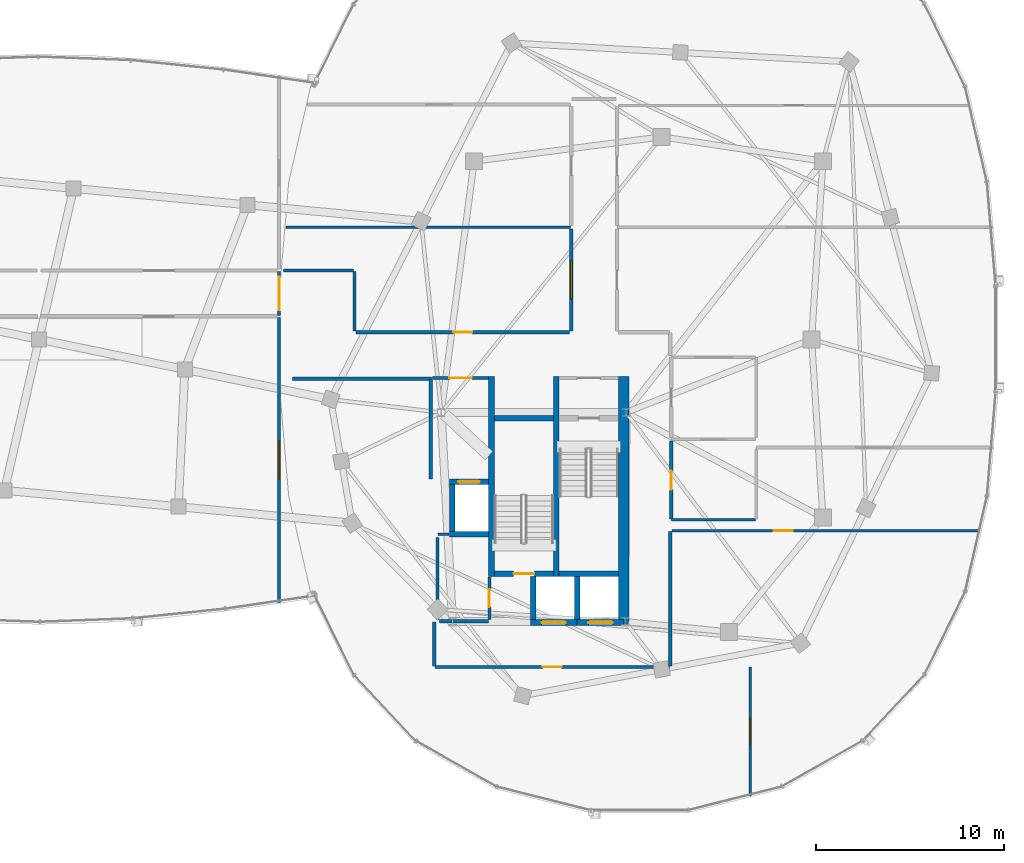
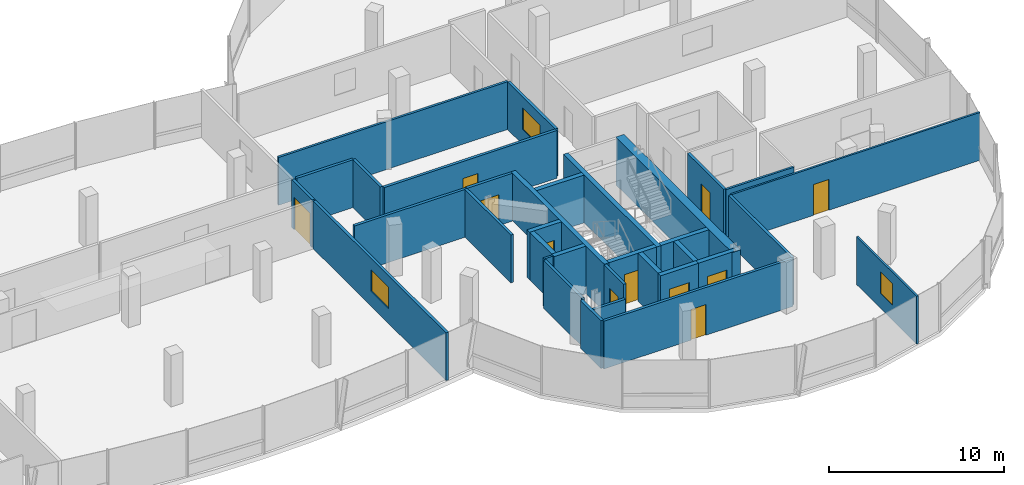
# One storey, part 16 of 26: 34 walls, 11 doors, 3 windows, 14 openings.
"""IFC4 building model written with IfcOpenShell, lengths in metres."""

from ifc_helpers import new_model, si_unit, direction, frame, frame_2d, origin, place, context, subcontext, project, spatial, rectangle, extrude, material, layer, layer_set, type_object, element, fill, save


model = new_model("IFC4")

# Units and contexts
model_context = context("Model", 3, precision=1e-05, world=origin(), true_north=direction((0.0, 1.0)))
body_context = subcontext(model_context, "Body", "Model", "MODEL_VIEW")
ifc_project = project(units=[si_unit("LENGTHUNIT", "METRE"), si_unit("AREAUNIT", "SQUARE_METRE"), si_unit("VOLUMEUNIT", "CUBIC_METRE"), si_unit("PLANEANGLEUNIT", "RADIAN"), si_unit("MASSUNIT", "GRAM", prefix="KILO"), si_unit("THERMODYNAMICTEMPERATUREUNIT", "KELVIN"), si_unit("POWERUNIT", "WATT")], contexts=[model_context])

# Site, building, storey
site_placement = place(None, origin())
site = spatial("IfcSite", under=ifc_project, at=site_placement, CompositionType="ELEMENT")
building_placement = place(site_placement, origin())
building = spatial("IfcBuilding", under=site, at=building_placement, Name="Cundina Bronze Exchange", CompositionType="ELEMENT")
storey_placement = place(building_placement, frame((0.0, 0.0, 243.199951171875)))
storey = spatial("IfcBuildingStorey", under=building, at=storey_placement, Name="L64", CompositionType="ELEMENT", Elevation=243.199951171875)

# Wall
ifc_material_1 = material(Name="Gypsum Fireboard Partition EI120")
ifc_layer_1 = layer(ifc_material_1, 0.179931640625, Name="Gypsum Fireboard Partition EI120")
ifc_layer_set_1 = layer_set([ifc_layer_1], Name="Gypsum Fireboard Partition EI120")
wall_type_1 = type_object("IfcWallType", Name="WL-COR-180", PredefinedType="PARTITIONING", material=ifc_layer_set_1)
wall_1_placement = place(storey_placement, frame((20.889892578125, -7.449951171875, 0.0), z_axis=(0.0, 0.0, 1.0), x_axis=(0.0, 1.0, 0.0)))
element("IfcWall", 1, at=wall_1_placement, inside=storey, type_object=wall_type_1, Name="L64 E Firefighting Lobby Side Wall", PredefinedType="PARTITIONING", context=body_context, shape_type="SweptSolid", body=[
    extrude(rectangle(XDim=5.300048828125, YDim=0.179931640625, at=frame_2d((2.64990234375, 0.0))), origin(), (0.0, 0.0, 1.0), 3.340087890625),
])

# Wall, opening, door
wall_2_placement = place(storey_placement, frame((20.97998046875, -2.06005859375, 0.0), z_axis=(0.0, 0.0, 1.0), x_axis=(1.0, 0.0, 0.0)))
wall_2 = element("IfcWall", 2, at=wall_2_placement, inside=storey, type_object=wall_type_1, Name="L64 E Firefighting Lobby Exit Wall", PredefinedType="PARTITIONING", context=body_context, shape_type="SweptSolid", body=[
    extrude(rectangle(XDim=3.0, YDim=0.179931640625, at=frame_2d((1.5, 0.0))), origin(), (0.0, 0.0, 1.0), 3.340087890625),
])
opening_1_placement = place(wall_2_placement, frame((0.89990234375, 0.0, 0.0)))
opening_1 = element("IfcOpeningElement", 3, at=opening_1_placement, cuts=wall_2, Name="Opening DF-01", PredefinedType="OPENING", context=body_context, shape_type="SweptSolid", body=[
    extrude(rectangle(XDim=1.199951171875, YDim=2.14990234375, at=frame_2d((0.60009765625, 1.074951171875))), frame((0.0, 0.099853515625, 0.0), z_axis=(0.0, -1.0, 0.0), x_axis=(1.0, 0.0, 0.0)), (0.0, 0.0, 1.0), 0.199951171875),
])
ifc_material_2 = material(Name="Steel ASTM A36 Painted", Category="steel")
door_type_1 = type_object("IfcDoorType", Name="DR-FFL-1200", OperationType="NOTDEFINED", PredefinedType="DOOR", material=ifc_material_2)
door_1_placement = place(opening_1_placement, origin())
door_1 = element("IfcDoor", 4, at=door_1_placement, inside=storey, type_object=door_type_1, Name="L64 E Firefighting Lobby Door", OperationType="SINGLE_SWING_LEFT", OverallHeight=2.14990234375, OverallWidth=1.199951171875, PredefinedType="DOOR", context=body_context, shape_type="SweptSolid", body=[
    extrude(rectangle(XDim=1.199951171875, YDim=2.14990234375, at=frame_2d((0.60009765625, 1.074951171875))), frame((0.0, 0.02490234375, 0.0), z_axis=(0.0, -1.0, 0.0), x_axis=(1.0, 0.0, 0.0)), (0.0, 0.0, 1.0), 0.050048828125),
])
fill(opening_1, door_1)

# Walls
wall_3_placement = place(storey_placement, frame((21.25, -14.929931640625, 0.0), z_axis=(0.0, 0.0, 1.0), x_axis=(0.0, 1.0, 0.0)))
element("IfcWall", 5, at=wall_3_placement, inside=storey, type_object=wall_type_1, Name="L64 Interior Partition 037", PredefinedType="PARTITIONING", context=body_context, shape_type="SweptSolid", body=[
    extrude(rectangle(XDim=4.35986328125, YDim=0.179931640625, at=frame_2d((2.179931640625, 0.0))), origin(), (0.0, 0.0, 1.0), 3.340087890625),
])
wall_4_placement = place(storey_placement, frame((21.35009765625, -15.030029296875, 0.0), z_axis=(0.0, 0.0, 1.0), x_axis=(1.0, 0.0, 0.0)))
element("IfcWall", 6, at=wall_4_placement, inside=storey, type_object=wall_type_1, Name="L64 Interior Partition 038", PredefinedType="PARTITIONING", context=body_context, shape_type="SweptSolid", body=[
    extrude(rectangle(XDim=2.60986328125, YDim=0.179931640625, at=frame_2d((1.304931640625, 0.0))), origin(), (0.0, 0.0, 1.0), 2.4130859375),
])

# Wall, opening, door
wall_5_placement = place(storey_placement, frame((24.02001953125, -14.929931640625, 0.0), z_axis=(0.0, 0.0, 1.0), x_axis=(0.0, 1.0, 0.0)))
wall_5 = element("IfcWall", 7, at=wall_5_placement, inside=storey, type_object=wall_type_1, Name="L64 Interior Partition 039", PredefinedType="PARTITIONING", context=body_context, shape_type="SweptSolid", body=[
    extrude(rectangle(XDim=2.260009765625, YDim=0.179931640625, at=frame_2d((1.1298828125, 0.0))), origin(), (0.0, 0.0, 1.0), 3.340087890625),
])
opening_2_placement = place(wall_5_placement, frame((0.655029296875, 0.0, 0.0)))
opening_2 = element("IfcOpeningElement", 8, at=opening_2_placement, cuts=wall_5, Name="Opening DW-01", PredefinedType="OPENING", context=body_context, shape_type="SweptSolid", body=[
    extrude(rectangle(XDim=0.949951171875, YDim=2.10009765625, at=frame_2d((0.47509765625, 1.050048828125))), frame((0.0, 0.099853515625, 0.0), z_axis=(0.0, -1.0, 0.0), x_axis=(1.0, 0.0, 0.0)), (0.0, 0.0, 1.0), 0.199951171875),
])
ifc_material_3 = material(Name="Solid Andean Oak Timber Grade A", Category="wood")
door_type_2 = type_object("IfcDoorType", Name="DR-WC-950", OperationType="NOTDEFINED", PredefinedType="DOOR", material=ifc_material_3)
door_2_placement = place(opening_2_placement, origin())
door_2 = element("IfcDoor", 9, at=door_2_placement, inside=storey, type_object=door_type_2, Name="L64 Interior Door 039", OperationType="SINGLE_SWING_RIGHT", OverallHeight=2.10009765625, OverallWidth=0.949951171875, PredefinedType="DOOR", context=body_context, shape_type="SweptSolid", body=[
    extrude(rectangle(XDim=0.949951171875, YDim=2.10009765625, at=frame_2d((0.47509765625, 1.050048828125))), frame((0.0, 0.02490234375, 0.0), z_axis=(0.0, -1.0, 0.0), x_axis=(1.0, 0.0, 0.0)), (0.0, 0.0, 1.0), 0.050048828125),
])
fill(opening_2, door_2)

wall_6_placement = place(storey_placement, frame((33.719970703125, -9.590087890625, 0.0), z_axis=(0.0, 0.0, 1.0), x_axis=(0.0, 1.0, 0.0)))
wall_6 = element("IfcWall", 10, at=wall_6_placement, inside=storey, type_object=wall_type_1, Name="L64 Interior Partition 046", PredefinedType="PARTITIONING", context=body_context, shape_type="SweptSolid", body=[
    extrude(rectangle(XDim=4.16015625, YDim=0.179931640625, at=frame_2d((2.080078125, 0.0))), origin(), (0.0, 0.0, 1.0), 3.340087890625),
])
opening_3_placement = place(wall_6_placement, frame((1.580078125, 0.0, 0.0)))
opening_3 = element("IfcOpeningElement", 11, at=opening_3_placement, cuts=wall_6, Name="Opening DO-01", PredefinedType="OPENING", context=body_context, shape_type="SweptSolid", body=[
    extrude(rectangle(XDim=1.0, YDim=2.14990234375, at=frame_2d((0.5, 1.074951171875))), frame((0.0, 0.099853515625, 0.0), z_axis=(0.0, -1.0, 0.0), x_axis=(1.0, 0.0, 0.0)), (0.0, 0.0, 1.0), 0.199951171875),
])
door_type_3 = type_object("IfcDoorType", Name="DR-OFF-1000", OperationType="NOTDEFINED", PredefinedType="DOOR", material=ifc_material_3)
door_3_placement = place(opening_3_placement, origin())
door_3 = element("IfcDoor", 12, at=door_3_placement, inside=storey, type_object=door_type_3, Name="L64 Interior Door 046", OperationType="SINGLE_SWING_RIGHT", OverallHeight=2.14990234375, OverallWidth=1.0, PredefinedType="DOOR", context=body_context, shape_type="SweptSolid", body=[
    extrude(rectangle(XDim=1.0, YDim=2.14990234375, at=frame_2d((0.5, 1.074951171875))), frame((0.0, 0.02490234375, 0.0), z_axis=(0.0, -1.0, 0.0), x_axis=(1.0, 0.0, 0.0)), (0.0, 0.0, 1.0), 0.050048828125),
])
fill(opening_3, door_3)

wall_7_placement = place(storey_placement, frame((21.12158203125, -17.469970703125, 0.0), z_axis=(0.0, 0.0, 1.0), x_axis=(1.0, 0.0, 0.0)))
wall_7 = element("IfcWall", 13, at=wall_7_placement, inside=storey, type_object=wall_type_1, Name="L64 Interior Partition 052", PredefinedType="PARTITIONING", context=body_context, shape_type="SweptSolid", body=[
    extrude(rectangle(XDim=12.5068359375, YDim=0.179931640625, at=frame_2d((6.25341796875, 0.0))), origin(), (0.0, 0.0, 1.0), 3.340087890625),
])
opening_4_placement = place(wall_7_placement, frame((5.75341796875, 0.0, 0.0)))
opening_4 = element("IfcOpeningElement", 14, at=opening_4_placement, cuts=wall_7, Name="Opening DO-01", PredefinedType="OPENING", context=body_context, shape_type="SweptSolid", body=[
    extrude(rectangle(XDim=1.0, YDim=2.14990234375, at=frame_2d((0.5, 1.074951171875))), frame((0.0, 0.099853515625, 0.0), z_axis=(0.0, -1.0, 0.0), x_axis=(1.0, 0.0, 0.0)), (0.0, 0.0, 1.0), 0.199951171875),
])
door_4_placement = place(opening_4_placement, origin())
door_4 = element("IfcDoor", 15, at=door_4_placement, inside=storey, type_object=door_type_3, Name="L64 Interior Door 052", OperationType="SINGLE_SWING_RIGHT", OverallHeight=2.14990234375, OverallWidth=1.0, PredefinedType="DOOR", context=body_context, shape_type="SweptSolid", body=[
    extrude(rectangle(XDim=1.0, YDim=2.14990234375, at=frame_2d((0.5, 1.074951171875))), frame((0.0, 0.02490234375, 0.0), z_axis=(0.0, -1.0, 0.0), x_axis=(1.0, 0.0, 0.0)), (0.0, 0.0, 1.0), 0.050048828125),
])
fill(opening_4, door_4)

# Walls
wall_8_placement = place(storey_placement, frame((13.521484375, -2.10009765625, 0.0), z_axis=(0.0, 0.0, 1.0), x_axis=(1.0, 0.0, 0.0)))
element("IfcWall", 16, at=wall_8_placement, inside=storey, type_object=wall_type_1, Name="L64 Interior Partition 053", PredefinedType="PARTITIONING", context=body_context, shape_type="SweptSolid", body=[
    extrude(rectangle(XDim=7.3984375, YDim=0.179931640625, at=frame_2d((3.69921875, 0.0))), origin(), (0.0, 0.0, 1.0), 3.340087890625),
])
wall_9_placement = place(storey_placement, frame((33.669921875, -17.428466796875, 0.0), z_axis=(0.0, 0.0, 1.0), x_axis=(0.0, 1.0, 0.0)))
element("IfcWall", 17, at=wall_9_placement, inside=storey, type_object=wall_type_1, Name="L64 Interior Partition 054", PredefinedType="PARTITIONING", context=body_context, shape_type="SweptSolid", body=[
    extrude(rectangle(XDim=7.178466796875, YDim=0.179931640625, at=frame_2d((3.58935546875, 0.0))), origin(), (0.0, 0.0, 1.0), 3.340087890625),
])
wall_10_placement = place(storey_placement, frame((21.080078125, -15.071533203125, 0.0), z_axis=(0.0, 0.0, 1.0), x_axis=(0.0, -1.0, 0.0)))
element("IfcWall", 18, at=wall_10_placement, inside=storey, type_object=wall_type_1, Name="L64 Interior Partition 055", PredefinedType="PARTITIONING", context=body_context, shape_type="SweptSolid", body=[
    extrude(rectangle(XDim=2.35693359375, YDim=0.179931640625, at=frame_2d((1.178466796875, 0.0))), origin(), (0.0, 0.0, 1.0), 3.340087890625),
])

# Wall, opening, door
wall_11_placement = place(storey_placement, frame((28.300048828125, 0.3701171875, 0.0), z_axis=(0.0, 0.0, 1.0), x_axis=(-1.0, 0.0, 0.0)))
wall_11 = element("IfcWall", 19, at=wall_11_placement, inside=storey, type_object=wall_type_1, Name="L64 Interior Partition 059", PredefinedType="PARTITIONING", context=body_context, shape_type="SweptSolid", body=[
    extrude(rectangle(XDim=11.400146484375, YDim=0.179931640625, at=frame_2d((5.7001953125, 0.0))), origin(), (0.0, 0.0, 1.0), 3.340087890625),
])
opening_5_placement = place(wall_11_placement, frame((5.199951171875, 0.0, 0.0)))
opening_5 = element("IfcOpeningElement", 20, at=opening_5_placement, cuts=wall_11, Name="Opening DO-01", PredefinedType="OPENING", context=body_context, shape_type="SweptSolid", body=[
    extrude(rectangle(XDim=1.0, YDim=2.14990234375, at=frame_2d((0.5, 1.074951171875))), frame((0.0, 0.099853515625, 0.0), z_axis=(0.0, -1.0, 0.0), x_axis=(1.0, 0.0, 0.0)), (0.0, 0.0, 1.0), 0.199951171875),
])
door_5_placement = place(opening_5_placement, origin())
door_5 = element("IfcDoor", 21, at=door_5_placement, inside=storey, type_object=door_type_3, Name="L64 Interior Door 059", OperationType="SINGLE_SWING_RIGHT", OverallHeight=2.14990234375, OverallWidth=1.0, PredefinedType="DOOR", context=body_context, shape_type="SweptSolid", body=[
    extrude(rectangle(XDim=1.0, YDim=2.14990234375, at=frame_2d((0.5, 1.074951171875))), frame((0.0, 0.02490234375, 0.0), z_axis=(0.0, -1.0, 0.0), x_axis=(1.0, 0.0, 0.0)), (0.0, 0.0, 1.0), 0.050048828125),
])
fill(opening_5, door_5)

# Wall, opening, window
wall_12_placement = place(storey_placement, frame((28.3798828125, 5.889892578125, 0.0), z_axis=(0.0, 0.0, 1.0), x_axis=(0.0, -1.0, 0.0)))
wall_12 = element("IfcWall", 22, at=wall_12_placement, inside=storey, type_object=wall_type_1, Name="L64 Interior Partition 060", PredefinedType="PARTITIONING", context=body_context, shape_type="SweptSolid", body=[
    extrude(rectangle(XDim=5.43994140625, YDim=0.179931640625, at=frame_2d((2.719970703125, 0.0))), origin(), (0.0, 0.0, 1.0), 3.340087890625),
])
opening_6_placement = place(wall_12_placement, frame((1.719970703125, 0.0, 1.050048828125)))
opening_6 = element("IfcOpeningElement", 23, at=opening_6_placement, cuts=wall_12, Name="Opening WI-01", PredefinedType="OPENING", context=body_context, shape_type="SweptSolid", body=[
    extrude(rectangle(XDim=2.0, YDim=1.5, at=frame_2d((1.0, 0.75))), frame((0.0, 0.099853515625, 0.0), z_axis=(0.0, -1.0, 0.0), x_axis=(1.0, 0.0, 0.0)), (0.0, 0.0, 1.0), 0.199951171875),
])
ifc_material_4 = material(Name="Clear Low-E Insulating Glass 26mm", Category="glass")
window_type_1 = type_object("IfcWindowType", Name="WN-INT-2000", PartitioningType="SINGLE_PANEL", PredefinedType="WINDOW", material=ifc_material_4)
window_1_placement = place(opening_6_placement, origin())
window_1 = element("IfcWindow", 24, at=window_1_placement, inside=storey, type_object=window_type_1, Name="L64 Interior Acoustic Vision Window 060", OverallHeight=1.5, OverallWidth=2.0, PartitioningType="SINGLE_PANEL", PredefinedType="WINDOW", context=body_context, shape_type="SweptSolid", body=[
    extrude(rectangle(XDim=2.0, YDim=1.5, at=frame_2d((1.0, 0.75))), frame((0.0, 0.030029296875, 0.0), z_axis=(0.0, -1.0, 0.0), x_axis=(1.0, 0.0, 0.0)), (0.0, 0.0, 1.0), 0.06005859375),
])
fill(opening_6, window_1)

# Walls
wall_13_placement = place(storey_placement, frame((16.778564453125, 3.669921875, 0.0), z_axis=(0.0, 0.0, 1.0), x_axis=(-1.0, 0.0, 0.0)))
element("IfcWall", 25, at=wall_13_placement, inside=storey, type_object=wall_type_1, Name="L64 Interior Partition 061", PredefinedType="PARTITIONING", context=body_context, shape_type="SweptSolid", body=[
    extrude(rectangle(XDim=3.7529296875, YDim=0.179931640625, at=frame_2d((1.87646484375, 0.0))), origin(), (0.0, 0.0, 1.0), 3.340087890625),
])
wall_14_placement = place(storey_placement, frame((16.820068359375, 0.449951171875, 0.0), z_axis=(0.0, 0.0, 1.0), x_axis=(0.0, 1.0, 0.0)))
element("IfcWall", 26, at=wall_14_placement, inside=storey, type_object=wall_type_1, Name="L64 Interior Partition 062", PredefinedType="PARTITIONING", context=body_context, shape_type="SweptSolid", body=[
    extrude(rectangle(XDim=3.178466796875, YDim=0.179931640625, at=frame_2d((1.58935546875, 0.0))), origin(), (0.0, 0.0, 1.0), 3.340087890625),
])

# Wall, opening, window
wall_15_placement = place(storey_placement, frame((12.800048828125, -14.043701171875, 0.0), z_axis=(0.0, 0.0, 1.0), x_axis=(0.0, 1.0, 0.0)))
wall_15 = element("IfcWall", 27, at=wall_15_placement, inside=storey, type_object=wall_type_1, Name="L64 Interior Partition 076", PredefinedType="PARTITIONING", context=body_context, shape_type="SweptSolid", body=[
    extrude(rectangle(XDim=15.20361328125, YDim=0.179931640625, at=frame_2d((7.601806640625, 0.0))), origin(), (0.0, 0.0, 1.0), 3.340087890625),
])
opening_7_placement = place(wall_15_placement, frame((6.60205078125, 0.0, 1.050048828125)))
opening_7 = element("IfcOpeningElement", 28, at=opening_7_placement, cuts=wall_15, Name="Opening WI-01", PredefinedType="OPENING", context=body_context, shape_type="SweptSolid", body=[
    extrude(rectangle(XDim=2.0, YDim=1.5, at=frame_2d((1.0, 0.75))), frame((0.0, 0.099853515625, 0.0), z_axis=(0.0, -1.0, 0.0), x_axis=(1.0, 0.0, 0.0)), (0.0, 0.0, 1.0), 0.199951171875),
])
window_2_placement = place(opening_7_placement, origin())
window_2 = element("IfcWindow", 29, at=window_2_placement, inside=storey, type_object=window_type_1, Name="L64 Interior Acoustic Vision Window 076", OverallHeight=1.5, OverallWidth=2.0, PartitioningType="SINGLE_PANEL", PredefinedType="WINDOW", context=body_context, shape_type="SweptSolid", body=[
    extrude(rectangle(XDim=2.0, YDim=1.5, at=frame_2d((1.0, 0.75))), frame((0.0, 0.030029296875, 0.0), z_axis=(0.0, -1.0, 0.0), x_axis=(1.0, 0.0, 0.0)), (0.0, 0.0, 1.0), 0.06005859375),
])
fill(opening_7, window_2)

# Wall, opening, door
wall_16_placement = place(storey_placement, frame((12.800048828125, 1.280029296875, 0.0), z_axis=(0.0, 0.0, 1.0), x_axis=(0.0, 1.0, 0.0)))
wall_16 = element("IfcWall", 30, at=wall_16_placement, inside=storey, type_object=wall_type_1, Name="L64 Interior Partition 078", PredefinedType="PARTITIONING", context=body_context, shape_type="SweptSolid", body=[
    extrude(rectangle(XDim=2.340087890625, YDim=0.179931640625, at=frame_2d((1.169921875, 0.0))), origin(), (0.0, 0.0, 1.0), 3.340087890625),
])
opening_8_placement = place(wall_16_placement, frame((0.27001953125, 0.0, 0.0)))
opening_8 = element("IfcOpeningElement", 31, at=opening_8_placement, cuts=wall_16, Name="Opening DB-01", PredefinedType="OPENING", context=body_context, shape_type="SweptSolid", body=[
    extrude(rectangle(XDim=1.800048828125, YDim=2.25, at=frame_2d((0.89990234375, 1.125))), frame((0.0, 0.099853515625, 0.0), z_axis=(0.0, -1.0, 0.0), x_axis=(1.0, 0.0, 0.0)), (0.0, 0.0, 1.0), 0.199951171875),
])
door_type_4 = type_object("IfcDoorType", Name="DR-BRG-1800", OperationType="NOTDEFINED", PredefinedType="DOOR", material=ifc_material_2)
door_6_placement = place(opening_8_placement, origin())
door_6 = element("IfcDoor", 32, at=door_6_placement, inside=storey, type_object=door_type_4, Name="L64 Interior Door 078", OperationType="DOUBLE_DOOR_SINGLE_SWING", OverallHeight=2.25, OverallWidth=1.800048828125, PredefinedType="DOOR", context=body_context, shape_type="SweptSolid", body=[
    extrude(rectangle(XDim=1.800048828125, YDim=2.25, at=frame_2d((0.89990234375, 1.125))), frame((0.0, 0.02490234375, 0.0), z_axis=(0.0, -1.0, 0.0), x_axis=(1.0, 0.0, 0.0)), (0.0, 0.0, 1.0), 0.050048828125),
])
fill(opening_8, door_6)

# Wall
ifc_material_5 = material(Name="Concrete C50/60", Category="concrete")
ifc_layer_2 = layer(ifc_material_5, 0.550048828125, Name="Concrete C50/60", Category="concrete")
ifc_layer_set_2 = layer_set([ifc_layer_2], Name="Concrete C50/60")
wall_type_2 = type_object("IfcWallType", Name="WL-CORE-550", PredefinedType="SHEAR", material=ifc_layer_set_2)
wall_17_placement = place(storey_placement, frame((31.175048828125, -15.300048828125, 0.0), z_axis=(0.0, 0.0, 1.0), x_axis=(0.0, 1.0, 0.0)))
element("IfcWall", 33, at=wall_17_placement, inside=storey, type_object=wall_type_2, Name="L64 E Primary Core Shear Spine Wall", PredefinedType="SHEAR", context=body_context, shape_type="SweptSolid", body=[
    extrude(rectangle(XDim=13.330078125, YDim=0.550048828125, at=frame_2d((6.6650390625, 0.0))), origin(), (0.0, 0.0, 1.0), 3.340087890625),
])

# Wall, opening, window
ifc_material_6 = material(Name="Gypsum Acoustic Partition EI60")
ifc_layer_3 = layer(ifc_material_6, 0.125, Name="Gypsum Acoustic Partition EI60")
ifc_layer_set_3 = layer_set([ifc_layer_3], Name="Gypsum Acoustic Partition EI60")
wall_type_3 = type_object("IfcWallType", Name="WL-OFF-125", PredefinedType="PARTITIONING", material=ifc_layer_set_3)
wall_18_placement = place(storey_placement, frame((37.919921875, -24.3603515625, 0.0), z_axis=(0.0, 0.0, 1.0), x_axis=(0.0, 1.0, 0.0)))
wall_18 = element("IfcWall", 34, at=wall_18_placement, inside=storey, type_object=wall_type_3, Name="L64 Interior Partition 051", PredefinedType="PARTITIONING", context=body_context, shape_type="SweptSolid", body=[
    extrude(rectangle(XDim=6.890380859375, YDim=0.125, at=frame_2d((3.4453125, 0.0))), origin(), (0.0, 0.0, 1.0), 3.340087890625),
])
opening_9_placement = place(wall_18_placement, frame((2.7451171875, 0.0, 1.050048828125)))
opening_9 = element("IfcOpeningElement", 35, at=opening_9_placement, cuts=wall_18, Name="Opening WI-02", PredefinedType="OPENING", context=body_context, shape_type="SweptSolid", body=[
    extrude(rectangle(XDim=1.39990234375, YDim=1.5, at=frame_2d((0.699951171875, 0.75))), frame((0.0, 0.072509765625, 0.0), z_axis=(0.0, -1.0, 0.0), x_axis=(1.0, 0.0, 0.0)), (0.0, 0.0, 1.0), 0.14501953125),
])
window_type_2 = type_object("IfcWindowType", Name="WN-INT-1400", PartitioningType="SINGLE_PANEL", PredefinedType="WINDOW", material=ifc_material_4)
window_3_placement = place(opening_9_placement, origin())
window_3 = element("IfcWindow", 36, at=window_3_placement, inside=storey, type_object=window_type_2, Name="L64 Interior Acoustic Vision Window 051", OverallHeight=1.5, OverallWidth=1.39990234375, PartitioningType="SINGLE_PANEL", PredefinedType="WINDOW", context=body_context, shape_type="SweptSolid", body=[
    extrude(rectangle(XDim=1.39990234375, YDim=1.5, at=frame_2d((0.699951171875, 0.75))), frame((0.0, 0.030029296875, 0.0), z_axis=(0.0, -1.0, 0.0), x_axis=(1.0, 0.0, 0.0)), (0.0, 0.0, 1.0), 0.06005859375),
])
fill(opening_9, window_3)

# Wall, opening, door
wall_19_placement = place(storey_placement, frame((50.19140625, -10.2099609375, 0.0), z_axis=(0.0, 0.0, 1.0), x_axis=(-1.0, 0.0, 0.0)))
wall_19 = element("IfcWall", 37, at=wall_19_placement, inside=storey, type_object=wall_type_3, Name="L64 Interior Partition 066", PredefinedType="PARTITIONING", context=body_context, shape_type="SweptSolid", body=[
    extrude(rectangle(XDim=16.44140625, YDim=0.125, at=frame_2d((8.220703125, 0.0))), origin(), (0.0, 0.0, 1.0), 3.340087890625),
])
opening_10_placement = place(wall_19_placement, frame((10.000732421875, 0.0, 0.0)))
opening_10 = element("IfcOpeningElement", 38, at=opening_10_placement, cuts=wall_19, Name="Opening DO-01", PredefinedType="OPENING", context=body_context, shape_type="SweptSolid", body=[
    extrude(rectangle(XDim=1.0, YDim=2.14990234375, at=frame_2d((0.5, 1.074951171875))), frame((0.0, 0.072509765625, 0.0), z_axis=(0.0, -1.0, 0.0), x_axis=(1.0, 0.0, 0.0)), (0.0, 0.0, 1.0), 0.14501953125),
])
door_7_placement = place(opening_10_placement, origin())
door_7 = element("IfcDoor", 39, at=door_7_placement, inside=storey, type_object=door_type_3, Name="L64 Interior Door 066", OperationType="SINGLE_SWING_LEFT", OverallHeight=2.14990234375, OverallWidth=1.0, PredefinedType="DOOR", context=body_context, shape_type="SweptSolid", body=[
    extrude(rectangle(XDim=1.0, YDim=2.14990234375, at=frame_2d((0.5, 1.074951171875))), frame((0.0, 0.02490234375, 0.0), z_axis=(0.0, -1.0, 0.0), x_axis=(1.0, 0.0, 0.0)), (0.0, 0.0, 1.0), 0.050048828125),
])
fill(opening_10, door_7)

# Walls
ifc_layer_4 = layer(ifc_material_5, 0.300048828125, Name="Concrete C50/60", Category="concrete")
ifc_layer_set_4 = layer_set([ifc_layer_4], Name="Concrete C50/60")
wall_type_4 = type_object("IfcWallType", Name="WL-SHFT-300", PredefinedType="SHEAR", material=ifc_layer_set_4)
for number, where, z_axis, x_axis, name in (
    (40, (27.590087890625, -12.64990234375, 0.0), (0.0, 0.0, 1.0), (0.0, 1.0, 0.0), "L64 E Stair Shaft Dividing Shear Wall"),
    (41, (24.1298828125, -12.64990234375, 0.0), (0.0, 0.0, 1.0), (0.0, 1.0, 0.0), "L64 E Stair 2 East Shear Wall"),
):
    element("IfcWall", number, at=place(storey_placement, frame(where, z_axis=z_axis, x_axis=x_axis)), inside=storey, type_object=wall_type_4, Name=name, PredefinedType="SHEAR", context=body_context, shape_type="SweptSolid", body=[
        extrude(rectangle(XDim=10.679931640625, YDim=0.300048828125, at=frame_2d((5.33984375, 0.0))), origin(), (0.0, 0.0, 1.0), 3.340087890625),
    ])
wall_20_placement = place(storey_placement, frame((27.739990234375, -12.5, 0.0), z_axis=(0.0, 0.0, 1.0), x_axis=(1.0, 0.0, 0.0)))
element("IfcWall", 42, at=wall_20_placement, inside=storey, type_object=wall_type_4, Name="L64 Stair E1 Far Shaft Wall", PredefinedType="SHEAR", context=body_context, shape_type="SweptSolid", body=[
    extrude(rectangle(XDim=3.159912109375, YDim=0.300048828125, at=frame_2d((1.580078125, 0.0))), origin(), (0.0, 0.0, 1.0), 3.340087890625),
])

# Wall, opening, door
wall_21_placement = place(storey_placement, frame((24.280029296875, -12.5, 0.0), z_axis=(0.0, 0.0, 1.0), x_axis=(1.0, 0.0, 0.0)))
wall_21 = element("IfcWall", 43, at=wall_21_placement, inside=storey, type_object=wall_type_4, Name="L64 Stair E2 Landing Wall", PredefinedType="SHEAR", context=body_context, shape_type="SweptSolid", body=[
    extrude(rectangle(XDim=3.159912109375, YDim=0.300048828125, at=frame_2d((1.580078125, 0.0))), origin(), (0.0, 0.0, 1.0), 3.340087890625),
])
opening_11_placement = place(wall_21_placement, frame((1.030029296875, 0.0, 0.0)))
opening_11 = element("IfcOpeningElement", 44, at=opening_11_placement, cuts=wall_21, Name="Opening DS-01", PredefinedType="OPENING", context=body_context, shape_type="SweptSolid", body=[
    extrude(rectangle(XDim=1.10009765625, YDim=2.14990234375, at=frame_2d((0.550048828125, 1.074951171875))), frame((0.0, 0.159912109375, 0.0), z_axis=(0.0, -1.0, 0.0), x_axis=(1.0, 0.0, 0.0)), (0.0, 0.0, 1.0), 0.320068359375),
])
door_type_5 = type_object("IfcDoorType", Name="DR-STR-1100", OperationType="NOTDEFINED", PredefinedType="DOOR", material=ifc_material_2)
door_8_placement = place(opening_11_placement, origin())
door_8 = element("IfcDoor", 45, at=door_8_placement, inside=storey, type_object=door_type_5, Name="L64 Smokeproof Stair E2 Door", OperationType="SINGLE_SWING_RIGHT", OverallHeight=2.14990234375, OverallWidth=1.10009765625, PredefinedType="DOOR", context=body_context, shape_type="SweptSolid", body=[
    extrude(rectangle(XDim=1.10009765625, YDim=2.14990234375, at=frame_2d((0.550048828125, 1.074951171875))), frame((0.0, 0.02490234375, 0.0), z_axis=(0.0, -1.0, 0.0), x_axis=(1.0, 0.0, 0.0)), (0.0, 0.0, 1.0), 0.050048828125),
])
fill(opening_11, door_8)

# Wall
wall_22_placement = place(storey_placement, frame((24.280029296875, -4.199951171875, 0.0), z_axis=(0.0, 0.0, 1.0), x_axis=(1.0, 0.0, 0.0)))
element("IfcWall", 46, at=wall_22_placement, inside=storey, type_object=wall_type_4, Name="L64 Stair E2 Far Shaft Wall", PredefinedType="SHEAR", context=body_context, shape_type="SweptSolid", body=[
    extrude(rectangle(XDim=3.159912109375, YDim=0.300048828125, at=frame_2d((1.580078125, 0.0))), origin(), (0.0, 0.0, 1.0), 3.340087890625),
])

# Wall, opening, door
wall_23_placement = place(storey_placement, frame((21.8798828125, -7.60009765625, 0.0), z_axis=(0.0, 0.0, 1.0), x_axis=(1.0, 0.0, 0.0)))
wall_23 = element("IfcWall", 47, at=wall_23_placement, inside=storey, type_object=wall_type_4, Name="L64 FFL-E Hoistway Front Wall", PredefinedType="SHEAR", context=body_context, shape_type="SweptSolid", body=[
    extrude(rectangle(XDim=2.10009765625, YDim=0.300048828125, at=frame_2d((1.050048828125, 0.0))), origin(), (0.0, 0.0, 1.0), 3.340087890625),
])
opening_12_placement = place(wall_23_placement, frame((0.47509765625, 0.0, 0.0)))
opening_12 = element("IfcOpeningElement", 48, at=opening_12_placement, cuts=wall_23, Name="Opening LD-01", PredefinedType="OPENING", context=body_context, shape_type="SweptSolid", body=[
    extrude(rectangle(XDim=1.14990234375, YDim=2.199951171875, at=frame_2d((0.574951171875, 1.10009765625))), frame((0.0, 0.159912109375, 0.0), z_axis=(0.0, -1.0, 0.0), x_axis=(1.0, 0.0, 0.0)), (0.0, 0.0, 1.0), 0.320068359375),
])
door_type_6 = type_object("IfcDoorType", Name="DR-LND-1150", OperationType="NOTDEFINED", PredefinedType="TRAPDOOR", material=ifc_material_2)
door_9_placement = place(opening_12_placement, origin())
door_9 = element("IfcDoor", 49, at=door_9_placement, inside=storey, type_object=door_type_6, Name="L64 FFL-E Sliding Landing Door", OperationType="SLIDING_TO_LEFT", OverallHeight=2.199951171875, OverallWidth=1.14990234375, PredefinedType="TRAPDOOR", context=body_context, shape_type="SweptSolid", body=[
    extrude(rectangle(XDim=1.14990234375, YDim=2.199951171875, at=frame_2d((0.574951171875, 1.10009765625))), frame((0.0, 0.02490234375, 0.0), z_axis=(0.0, -1.0, 0.0), x_axis=(1.0, 0.0, 0.0)), (0.0, 0.0, 1.0), 0.050048828125),
])
fill(opening_12, door_9)

# Walls
wall_24_placement = place(storey_placement, frame((21.8798828125, -10.39990234375, 0.0), z_axis=(0.0, 0.0, 1.0), x_axis=(1.0, 0.0, 0.0)))
element("IfcWall", 50, at=wall_24_placement, inside=storey, type_object=wall_type_4, Name="L64 FFL-E Hoistway Back Wall", PredefinedType="SHEAR", context=body_context, shape_type="SweptSolid", body=[
    extrude(rectangle(XDim=2.10009765625, YDim=0.300048828125, at=frame_2d((1.050048828125, 0.0))), origin(), (0.0, 0.0, 1.0), 3.340087890625),
])
wall_25_placement = place(storey_placement, frame((22.030029296875, -10.25, 0.0), z_axis=(0.0, 0.0, 1.0), x_axis=(0.0, 1.0, 0.0)))
element("IfcWall", 51, at=wall_25_placement, inside=storey, type_object=wall_type_4, Name="L64 FFL-E Hoistway Side Wall", PredefinedType="SHEAR", context=body_context, shape_type="SweptSolid", body=[
    extrude(rectangle(XDim=2.5, YDim=0.300048828125, at=frame_2d((1.25, 0.0))), origin(), (0.0, 0.0, 1.0), 3.340087890625),
])

# Wall, opening, door
wall_26_placement = place(storey_placement, frame((28.699951171875, -15.10009765625, 0.0), z_axis=(0.0, 0.0, 1.0), x_axis=(1.0, 0.0, 0.0)))
wall_26 = element("IfcWall", 52, at=wall_26_placement, inside=storey, type_object=wall_type_4, Name="L64 PH-E1 Hoistway Front Wall", PredefinedType="SHEAR", context=body_context, shape_type="SweptSolid", body=[
    extrude(rectangle(XDim=2.5, YDim=0.300048828125, at=frame_2d((1.25, 0.0))), origin(), (0.0, 0.0, 1.0), 3.340087890625),
])
opening_13_placement = place(wall_26_placement, frame((0.60009765625, 0.0, 0.0)))
opening_13 = element("IfcOpeningElement", 53, at=opening_13_placement, cuts=wall_26, Name="Opening LD-02", PredefinedType="OPENING", context=body_context, shape_type="SweptSolid", body=[
    extrude(rectangle(XDim=1.300048828125, YDim=2.199951171875, at=frame_2d((0.64990234375, 1.10009765625))), frame((0.0, 0.159912109375, 0.0), z_axis=(0.0, -1.0, 0.0), x_axis=(1.0, 0.0, 0.0)), (0.0, 0.0, 1.0), 0.320068359375),
])
door_type_7 = type_object("IfcDoorType", Name="DR-LND-1300", OperationType="NOTDEFINED", PredefinedType="TRAPDOOR", material=ifc_material_2)
door_10_placement = place(opening_13_placement, origin())
door_10 = element("IfcDoor", 54, at=door_10_placement, inside=storey, type_object=door_type_7, Name="L64 PH-E1 Sliding Landing Door", OperationType="SLIDING_TO_LEFT", OverallHeight=2.199951171875, OverallWidth=1.300048828125, PredefinedType="TRAPDOOR", context=body_context, shape_type="SweptSolid", body=[
    extrude(rectangle(XDim=1.300048828125, YDim=2.199951171875, at=frame_2d((0.64990234375, 1.10009765625))), frame((0.0, 0.02490234375, 0.0), z_axis=(0.0, -1.0, 0.0), x_axis=(1.0, 0.0, 0.0)), (0.0, 0.0, 1.0), 0.050048828125),
])
fill(opening_13, door_10)

# Wall
wall_27_placement = place(storey_placement, frame((28.699951171875, -14.949951171875, 0.0), z_axis=(0.0, 0.0, 1.0), x_axis=(0.0, 1.0, 0.0)))
element("IfcWall", 55, at=wall_27_placement, inside=storey, type_object=wall_type_4, Name="L64 PH-E1 Hoistway Divider Wall", PredefinedType="SHEAR", context=body_context, shape_type="SweptSolid", body=[
    extrude(rectangle(XDim=2.300048828125, YDim=0.300048828125, at=frame_2d((1.14990234375, 0.0))), origin(), (0.0, 0.0, 1.0), 3.340087890625),
])

# Wall, opening, door
wall_28_placement = place(storey_placement, frame((26.199951171875, -15.10009765625, 0.0), z_axis=(0.0, 0.0, 1.0), x_axis=(1.0, 0.0, 0.0)))
wall_28 = element("IfcWall", 56, at=wall_28_placement, inside=storey, type_object=wall_type_4, Name="L64 PH-E2 Hoistway Front Wall", PredefinedType="SHEAR", context=body_context, shape_type="SweptSolid", body=[
    extrude(rectangle(XDim=2.5, YDim=0.300048828125, at=frame_2d((1.25, 0.0))), origin(), (0.0, 0.0, 1.0), 3.340087890625),
])
opening_14_placement = place(wall_28_placement, frame((0.60009765625, 0.0, 0.0)))
opening_14 = element("IfcOpeningElement", 57, at=opening_14_placement, cuts=wall_28, Name="Opening LD-02", PredefinedType="OPENING", context=body_context, shape_type="SweptSolid", body=[
    extrude(rectangle(XDim=1.300048828125, YDim=2.199951171875, at=frame_2d((0.64990234375, 1.10009765625))), frame((0.0, 0.159912109375, 0.0), z_axis=(0.0, -1.0, 0.0), x_axis=(1.0, 0.0, 0.0)), (0.0, 0.0, 1.0), 0.320068359375),
])
door_11_placement = place(opening_14_placement, origin())
door_11 = element("IfcDoor", 58, at=door_11_placement, inside=storey, type_object=door_type_7, Name="L64 PH-E2 Sliding Landing Door", OperationType="SLIDING_TO_LEFT", OverallHeight=2.199951171875, OverallWidth=1.300048828125, PredefinedType="TRAPDOOR", context=body_context, shape_type="SweptSolid", body=[
    extrude(rectangle(XDim=1.300048828125, YDim=2.199951171875, at=frame_2d((0.64990234375, 1.10009765625))), frame((0.0, 0.02490234375, 0.0), z_axis=(0.0, -1.0, 0.0), x_axis=(1.0, 0.0, 0.0)), (0.0, 0.0, 1.0), 0.050048828125),
])
fill(opening_14, door_11)

# Walls
wall_29_placement = place(storey_placement, frame((26.35009765625, -14.949951171875, 0.0), z_axis=(0.0, 0.0, 1.0), x_axis=(0.0, 1.0, 0.0)))
element("IfcWall", 59, at=wall_29_placement, inside=storey, type_object=wall_type_4, Name="L64 PH-E2 Hoistway Divider Wall", PredefinedType="SHEAR", context=body_context, shape_type="SweptSolid", body=[
    extrude(rectangle(XDim=2.300048828125, YDim=0.300048828125, at=frame_2d((1.14990234375, 0.0))), origin(), (0.0, 0.0, 1.0), 3.340087890625),
])
ifc_layer_5 = layer(ifc_material_6, 0.14990234375, Name="Gypsum Acoustic Partition EI60")
ifc_layer_set_5 = layer_set([ifc_layer_5], Name="Gypsum Acoustic Partition EI60")
wall_type_5 = type_object("IfcWallType", Name="WL-TEN-150", PredefinedType="PARTITIONING", material=ifc_layer_set_5)
wall_30_placement = place(storey_placement, frame((13.164794921875, 5.97998046875, 0.0), z_axis=(0.0, 0.0, 1.0), x_axis=(1.0, 0.0, 0.0)))
element("IfcWall", 60, at=wall_30_placement, inside=storey, type_object=wall_type_5, Name="L64 Interior Partition 047", PredefinedType="PARTITIONING", context=body_context, shape_type="SweptSolid", body=[
    extrude(rectangle(XDim=15.185302734375, YDim=0.14990234375, at=frame_2d((7.5927734375, 0.0))), origin(), (0.0, 0.0, 1.0), 3.340087890625),
])
ifc_material_7 = material(Name="Moisture-Resistant Masonry Block Grade M15", Category="masonry")
ifc_layer_6 = layer(ifc_material_7, 0.139892578125, Name="Moisture-Resistant Masonry Block Grade M15", Category="masonry")
ifc_layer_set_6 = layer_set([ifc_layer_6], Name="Moisture-Resistant Masonry Block Grade M15")
wall_type_6 = type_object("IfcWallType", Name="WL-WET-140", PredefinedType="PARTITIONING", material=ifc_layer_set_6)
wall_31_placement = place(storey_placement, frame((21.27001953125, -10.39990234375, 0.0), z_axis=(0.0, 0.0, 1.0), x_axis=(1.0, 0.0, 0.0)))
element("IfcWall", 61, at=wall_31_placement, inside=storey, type_object=wall_type_6, Name="L64 Interior Partition 036", PredefinedType="PARTITIONING", context=body_context, shape_type="SweptSolid", body=[
    extrude(rectangle(XDim=0.590087890625, YDim=0.139892578125, at=frame_2d((0.294921875, 0.0))), origin(), (0.0, 0.0, 1.0), 3.340087890625),
])
wall_32_placement = place(storey_placement, frame((33.739990234375, -9.610107421875, 0.0), z_axis=(0.0, 0.0, 1.0), x_axis=(1.0, 0.0, 0.0)))
element("IfcWall", 62, at=wall_32_placement, inside=storey, type_object=wall_type_6, Name="L64 Interior Partition 044", PredefinedType="PARTITIONING", context=body_context, shape_type="SweptSolid", body=[
    extrude(rectangle(XDim=4.47998046875, YDim=0.139892578125, at=frame_2d((2.239990234375, 0.0))), origin(), (0.0, 0.0, 1.0), 3.340087890625),
])

save(model, "model.ifc")
